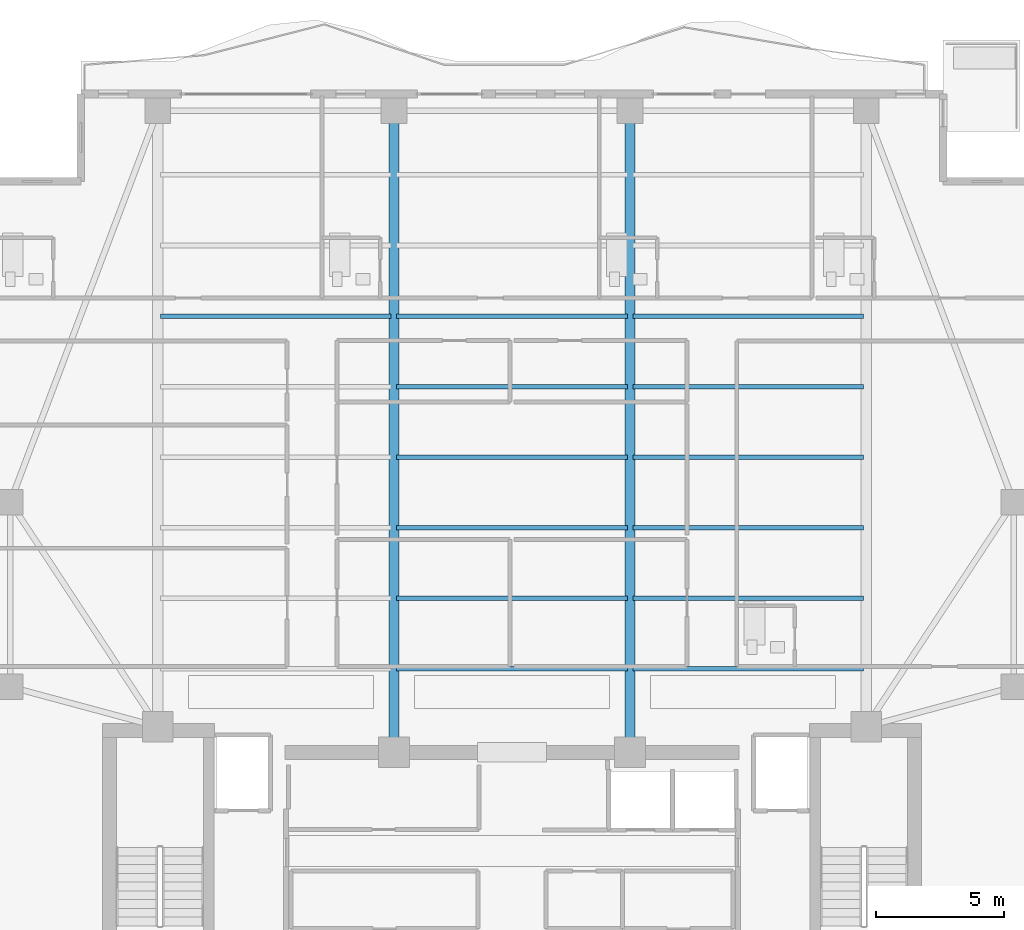
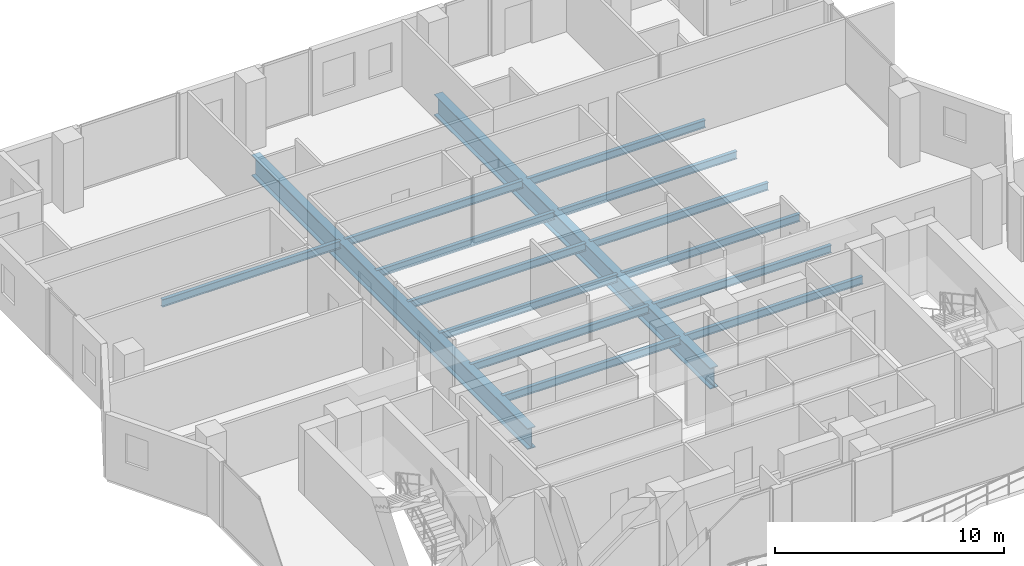
# One storey, part 7 of 23: 15 beams.
"""IFC4 building model written with IfcOpenShell, lengths in metres."""

from ifc_helpers import new_model, si_unit, direction, frame, origin, origin_2d, place, context, subcontext, project, spatial, i_section, extrude, material, material_profile, profile_set, type_object, element, save


model = new_model("IFC4")

# Units and contexts
model_context = context("Model", 3, precision=1e-05, world=origin(), true_north=direction((0.0, 1.0)))
body_context = subcontext(model_context, "Body", "Model", "MODEL_VIEW")
ifc_project = project(units=[si_unit("LENGTHUNIT", "METRE"), si_unit("AREAUNIT", "SQUARE_METRE"), si_unit("VOLUMEUNIT", "CUBIC_METRE"), si_unit("PLANEANGLEUNIT", "RADIAN"), si_unit("MASSUNIT", "GRAM", prefix="KILO")], contexts=[model_context])

# Site, building, storey
site_placement = place(None, origin())
site = spatial("IfcSite", under=ifc_project, at=site_placement, CompositionType="ELEMENT")
building_placement = place(site_placement, origin())
building = spatial("IfcBuilding", under=site, at=building_placement, Name="Zuhayl Quay Hotel", CompositionType="ELEMENT")
storey_placement = place(building_placement, frame((0.0, 0.0, 261.85009765625)))
storey = spatial("IfcBuildingStorey", under=building, at=storey_placement, Name="L66", CompositionType="ELEMENT", Elevation=261.85009765625)

# Beams
ifc_material_1 = material(Name="Steel ASTM A992 Grade 50", Category="steel")
ifc_material_profile_1 = material_profile(ifc_material_1, i_section(OverallWidth=0.177978515625, OverallDepth=0.404052734375, WebThickness=0.007568359375, FlangeThickness=0.010986328125, at=origin_2d()), Name="W16X36")
ifc_profile_set_1 = profile_set([ifc_material_profile_1], Name="Steel ASTM A992 Grade 50")
beam_type_1 = type_object("IfcBeamType", Name="BM_J3_W16X36", PredefinedType="JOIST", material=ifc_profile_set_1)
beam_1_placement = place(storey_placement, frame((-4.493896484375, 16.60009765625, -0.422119140625), z_axis=(1.0, 0.0, 0.0), x_axis=(0.0, 1.0, 0.0)))
element("IfcBeam", 1, at=beam_1_placement, inside=storey, type_object=beam_type_1, Name="L66 Floor Beam FJ_L66_1_2", PredefinedType="JOIST", context=body_context, shape_type="SweptSolid", body=[
    extrude(i_section(OverallWidth=0.177978515625, OverallDepth=0.404052734375, WebThickness=0.007568359375, FlangeThickness=0.010986328125, at=origin_2d()), origin(), (0.0, 0.0, 1.0), 8.98779296875),
])
beam_2_placement = place(storey_placement, frame((4.7060546875, 16.60009765625, -0.422119140625), z_axis=(1.0, 0.0, 0.0), x_axis=(0.0, 1.0, 0.0)))
element("IfcBeam", 2, at=beam_2_placement, inside=storey, type_object=beam_type_1, Name="L66 Floor Beam FJ_L66_1_3", PredefinedType="JOIST", context=body_context, shape_type="SweptSolid", body=[
    extrude(i_section(OverallWidth=0.177978515625, OverallDepth=0.404052734375, WebThickness=0.007568359375, FlangeThickness=0.010986328125, at=origin_2d()), origin(), (0.0, 0.0, 1.0), 8.988037109375),
])
beam_3_placement = place(storey_placement, frame((-4.493896484375, 19.35009765625, -0.422119140625), z_axis=(1.0, 0.0, 0.0), x_axis=(0.0, 1.0, 0.0)))
element("IfcBeam", 3, at=beam_3_placement, inside=storey, type_object=beam_type_1, Name="L66 Floor Beam FJ_L66_2_2", PredefinedType="JOIST", context=body_context, shape_type="SweptSolid", body=[
    extrude(i_section(OverallWidth=0.177978515625, OverallDepth=0.404052734375, WebThickness=0.007568359375, FlangeThickness=0.010986328125, at=origin_2d()), origin(), (0.0, 0.0, 1.0), 8.98779296875),
])
beam_4_placement = place(storey_placement, frame((4.7060546875, 19.35009765625, -0.422119140625), z_axis=(1.0, 0.0, 0.0), x_axis=(0.0, 1.0, 0.0)))
element("IfcBeam", 4, at=beam_4_placement, inside=storey, type_object=beam_type_1, Name="L66 Floor Beam FJ_L66_2_3", PredefinedType="JOIST", context=body_context, shape_type="SweptSolid", body=[
    extrude(i_section(OverallWidth=0.177978515625, OverallDepth=0.404052734375, WebThickness=0.007568359375, FlangeThickness=0.010986328125, at=origin_2d()), origin(), (0.0, 0.0, 1.0), 8.988037109375),
])
beam_5_placement = place(storey_placement, frame((-4.493896484375, 22.10009765625, -0.422119140625), z_axis=(1.0, 0.0, 0.0), x_axis=(0.0, 1.0, 0.0)))
element("IfcBeam", 5, at=beam_5_placement, inside=storey, type_object=beam_type_1, Name="L66 Floor Beam FJ_L66_3_2", PredefinedType="JOIST", context=body_context, shape_type="SweptSolid", body=[
    extrude(i_section(OverallWidth=0.177978515625, OverallDepth=0.404052734375, WebThickness=0.007568359375, FlangeThickness=0.010986328125, at=origin_2d()), origin(), (0.0, 0.0, 1.0), 8.98779296875),
])
beam_6_placement = place(storey_placement, frame((4.7060546875, 22.10009765625, -0.422119140625), z_axis=(1.0, 0.0, 0.0), x_axis=(0.0, 1.0, 0.0)))
element("IfcBeam", 6, at=beam_6_placement, inside=storey, type_object=beam_type_1, Name="L66 Floor Beam FJ_L66_3_3", PredefinedType="JOIST", context=body_context, shape_type="SweptSolid", body=[
    extrude(i_section(OverallWidth=0.177978515625, OverallDepth=0.404052734375, WebThickness=0.007568359375, FlangeThickness=0.010986328125, at=origin_2d()), origin(), (0.0, 0.0, 1.0), 8.988037109375),
])
beam_7_placement = place(storey_placement, frame((-4.493896484375, 24.85009765625, -0.422119140625), z_axis=(1.0, 0.0, 0.0), x_axis=(0.0, 1.0, 0.0)))
element("IfcBeam", 7, at=beam_7_placement, inside=storey, type_object=beam_type_1, Name="L66 Floor Beam FJ_L66_4_2", PredefinedType="JOIST", context=body_context, shape_type="SweptSolid", body=[
    extrude(i_section(OverallWidth=0.177978515625, OverallDepth=0.404052734375, WebThickness=0.007568359375, FlangeThickness=0.010986328125, at=origin_2d()), origin(), (0.0, 0.0, 1.0), 8.98779296875),
])
beam_8_placement = place(storey_placement, frame((4.7060546875, 24.85009765625, -0.422119140625), z_axis=(1.0, 0.0, 0.0), x_axis=(0.0, 1.0, 0.0)))
element("IfcBeam", 8, at=beam_8_placement, inside=storey, type_object=beam_type_1, Name="L66 Floor Beam FJ_L66_4_3", PredefinedType="JOIST", context=body_context, shape_type="SweptSolid", body=[
    extrude(i_section(OverallWidth=0.177978515625, OverallDepth=0.404052734375, WebThickness=0.007568359375, FlangeThickness=0.010986328125, at=origin_2d()), origin(), (0.0, 0.0, 1.0), 8.988037109375),
])
beam_9_placement = place(storey_placement, frame((-4.493896484375, 27.60009765625, -0.422119140625), z_axis=(1.0, 0.0, 0.0), x_axis=(0.0, 1.0, 0.0)))
element("IfcBeam", 9, at=beam_9_placement, inside=storey, type_object=beam_type_1, Name="L66 Floor Beam FJ_L66_5_2", PredefinedType="JOIST", context=body_context, shape_type="SweptSolid", body=[
    extrude(i_section(OverallWidth=0.177978515625, OverallDepth=0.404052734375, WebThickness=0.007568359375, FlangeThickness=0.010986328125, at=origin_2d()), origin(), (0.0, 0.0, 1.0), 8.98779296875),
])
for number, where, z_axis, x_axis, name in (
    (10, (4.7060546875, 27.60009765625, -0.422119140625), (1.0, 0.0, 0.0), (0.0, 1.0, 0.0), "L66 Floor Beam FJ_L66_5_3"),
    (11, (-13.694091796875, 30.35009765625, -0.422119140625), (1.0, 0.0, 0.0), (0.0, 1.0, 0.0), "L66 Floor Beam FJ_L66_6_1"),
):
    element("IfcBeam", number, at=place(storey_placement, frame(where, z_axis=z_axis, x_axis=x_axis)), inside=storey, type_object=beam_type_1, Name=name, PredefinedType="JOIST", context=body_context, shape_type="SweptSolid", body=[
        extrude(i_section(OverallWidth=0.177978515625, OverallDepth=0.404052734375, WebThickness=0.007568359375, FlangeThickness=0.010986328125, at=origin_2d()), origin(), (0.0, 0.0, 1.0), 8.988037109375),
    ])
beam_10_placement = place(storey_placement, frame((-4.493896484375, 30.35009765625, -0.422119140625), z_axis=(1.0, 0.0, 0.0), x_axis=(0.0, 1.0, 0.0)))
element("IfcBeam", 12, at=beam_10_placement, inside=storey, type_object=beam_type_1, Name="L66 Floor Beam FJ_L66_6_2", PredefinedType="JOIST", context=body_context, shape_type="SweptSolid", body=[
    extrude(i_section(OverallWidth=0.177978515625, OverallDepth=0.404052734375, WebThickness=0.007568359375, FlangeThickness=0.010986328125, at=origin_2d()), origin(), (0.0, 0.0, 1.0), 8.98779296875),
])
beam_11_placement = place(storey_placement, frame((4.7060546875, 30.35009765625, -0.422119140625), z_axis=(1.0, 0.0, 0.0), x_axis=(0.0, 1.0, 0.0)))
element("IfcBeam", 13, at=beam_11_placement, inside=storey, type_object=beam_type_1, Name="L66 Floor Beam FJ_L66_6_3", PredefinedType="JOIST", context=body_context, shape_type="SweptSolid", body=[
    extrude(i_section(OverallWidth=0.177978515625, OverallDepth=0.404052734375, WebThickness=0.007568359375, FlangeThickness=0.010986328125, at=origin_2d()), origin(), (0.0, 0.0, 1.0), 8.988037109375),
])
ifc_material_2 = material(Name="Steel ASTM A913 Grade 65", Category="steel")
ifc_material_profile_2 = material_profile(ifc_material_2, i_section(OverallWidth=0.404052734375, OverallDepth=1.117919921875, WebThickness=0.026123046875, FlangeThickness=0.044921875, at=origin_2d()), Name="W44X335")
ifc_profile_set_2 = profile_set([ifc_material_profile_2], Name="Steel ASTM A913 Grade 65")
beam_type_2 = type_object("IfcBeamType", Name="BM_TG1_W44X335", PredefinedType="BEAM", material=ifc_profile_set_2)
for number, where, z_axis, x_axis, name in (
    (14, (-4.60009765625, 13.800048828125, -0.779052734375), (0.0, 1.0, 0.0), (-1.0, 0.0, 0.0), "L66 Floor Beam FG_N_L66_2"),
    (15, (4.60009765625, 13.800048828125, -0.779052734375), (0.0, 1.0, 0.0), (-1.0, 0.0, 0.0), "L66 Floor Beam FG_N_L66_3"),
):
    element("IfcBeam", number, at=place(storey_placement, frame(where, z_axis=z_axis, x_axis=x_axis)), inside=storey, type_object=beam_type_2, Name=name, PredefinedType="BEAM", context=body_context, shape_type="SweptSolid", body=[
        extrude(i_section(OverallWidth=0.404052734375, OverallDepth=1.117919921875, WebThickness=0.026123046875, FlangeThickness=0.044921875, at=origin_2d()), origin(), (0.0, 0.0, 1.0), 24.08984375),
    ])

save(model, "model.ifc")
